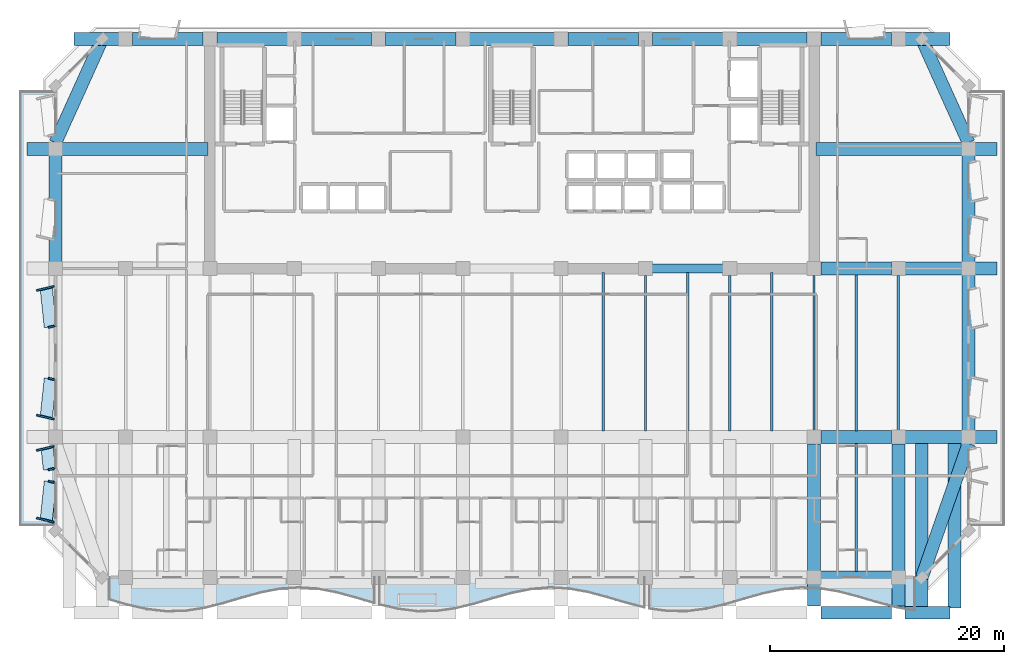
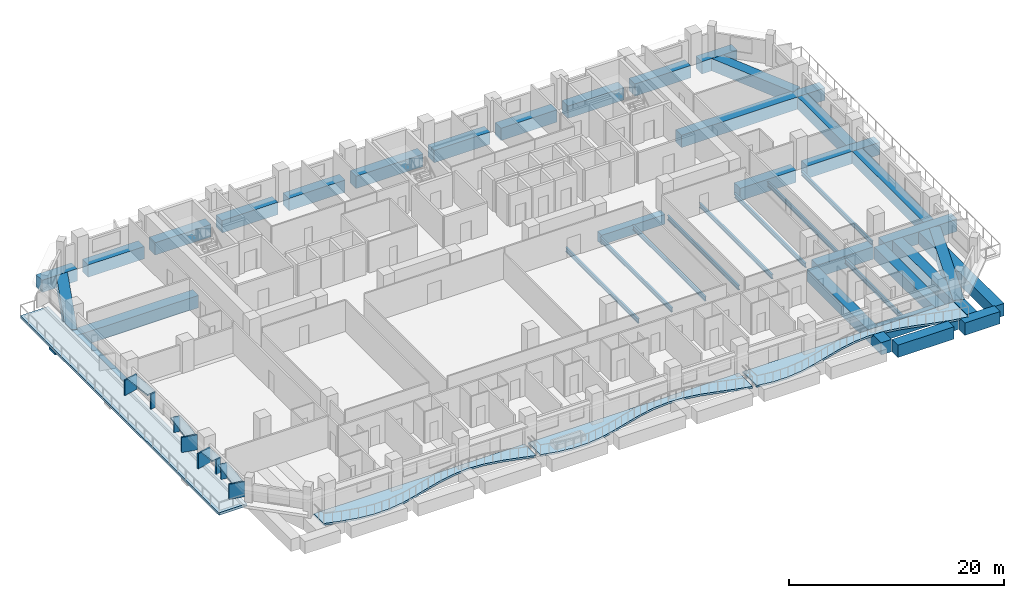
# One storey, part 2 of 16: 40 beams, 12 plates, 4 slabs.
"""IFC4 building model written with IfcOpenShell, lengths in metres."""

from ifc_helpers import new_model, si_unit, direction, frame, origin, origin_2d, place, context, subcontext, project, spatial, polyline, rectangle, i_section, outline, extrude, material, layer, layer_set, material_profile, profile_set, type_object, element, save


model = new_model("IFC4")

# Units and contexts
model_context = context("Model", 3, precision=1e-05, world=origin(), true_north=direction((0.0, 1.0)))
body_context = subcontext(model_context, "Body", "Model", "MODEL_VIEW")
ifc_project = project(units=[si_unit("LENGTHUNIT", "METRE"), si_unit("AREAUNIT", "SQUARE_METRE"), si_unit("VOLUMEUNIT", "CUBIC_METRE"), si_unit("PLANEANGLEUNIT", "RADIAN"), si_unit("MASSUNIT", "GRAM", prefix="KILO")], contexts=[model_context])

# Site, building, storey
site_placement = place(None, origin())
site = spatial("IfcSite", under=ifc_project, at=site_placement, CompositionType="ELEMENT")
building_placement = place(site_placement, origin())
building = spatial("IfcBuilding", under=site, at=building_placement, Name="Kaelvorn Grand Hotel", CompositionType="ELEMENT")
storey_placement = place(building_placement, frame((0.0, 0.0, 135.35009765625)))
storey = spatial("IfcBuildingStorey", under=building, at=storey_placement, Name="L32", CompositionType="ELEMENT", Elevation=135.35009765625)

# Beams
ifc_material_1 = material(Name="Steel S355", Category="steel")
ifc_material_profile_1 = material_profile(ifc_material_1, i_section(OverallWidth=0.199951171875, OverallDepth=0.5, WebThickness=0.01025390625, FlangeThickness=0.01611328125, FilletRadius=0.02099609375, at=origin_2d()), Name="IPE 500")
ifc_profile_set_1 = profile_set([ifc_material_profile_1], Name="Steel S355")
beam_type_1 = type_object("IfcBeamType", Name="BM-J-IPE500-S355", PredefinedType="JOIST", material=ifc_profile_set_1)
beam_1_placement = place(storey_placement, frame((49.800048828125, 15.534912109375, -0.489990234375), z_axis=(0.0, 1.0, 0.0), x_axis=(-1.0, 0.0, 0.0)))
element("IfcBeam", 1, at=beam_1_placement, inside=storey, type_object=beam_type_1, Name="L32 Composite Floor Joist JM-14", PredefinedType="JOIST", context=body_context, shape_type="SweptSolid", body=[
    extrude(i_section(OverallWidth=0.199951171875, OverallDepth=0.5, WebThickness=0.01025390625, FlangeThickness=0.01611328125, FilletRadius=0.02099609375, at=origin_2d()), origin(), (0.0, 0.0, 1.0), 13.525146484375),
])
beam_2_placement = place(storey_placement, frame((53.39990234375, 15.534912109375, -0.489990234375), z_axis=(0.0, 1.0, 0.0), x_axis=(-1.0, 0.0, 0.0)))
element("IfcBeam", 2, at=beam_2_placement, inside=storey, type_object=beam_type_1, Name="L32 Composite Floor Joist JM-15", PredefinedType="JOIST", context=body_context, shape_type="SweptSolid", body=[
    extrude(i_section(OverallWidth=0.199951171875, OverallDepth=0.5, WebThickness=0.01025390625, FlangeThickness=0.01611328125, FilletRadius=0.02099609375, at=origin_2d()), origin(), (0.0, 0.0, 1.0), 13.280029296875),
])
beam_3_placement = place(storey_placement, frame((57.0, 15.534912109375, -0.489990234375), z_axis=(0.0, 1.0, 0.0), x_axis=(-1.0, 0.0, 0.0)))
element("IfcBeam", 3, at=beam_3_placement, inside=storey, type_object=beam_type_1, Name="L32 Composite Floor Joist JM-16", PredefinedType="JOIST", context=body_context, shape_type="SweptSolid", body=[
    extrude(i_section(OverallWidth=0.199951171875, OverallDepth=0.5, WebThickness=0.01025390625, FlangeThickness=0.01611328125, FilletRadius=0.02099609375, at=origin_2d()), origin(), (0.0, 0.0, 1.0), 13.525146484375),
])
beam_4_placement = place(storey_placement, frame((60.60009765625, 15.534912109375, -0.489990234375), z_axis=(0.0, 1.0, 0.0), x_axis=(-1.0, 0.0, 0.0)))
element("IfcBeam", 4, at=beam_4_placement, inside=storey, type_object=beam_type_1, Name="L32 Composite Floor Joist JM-17", PredefinedType="JOIST", context=body_context, shape_type="SweptSolid", body=[
    extrude(i_section(OverallWidth=0.199951171875, OverallDepth=0.5, WebThickness=0.01025390625, FlangeThickness=0.01611328125, FilletRadius=0.02099609375, at=origin_2d()), origin(), (0.0, 0.0, 1.0), 13.280029296875),
])
beam_5_placement = place(storey_placement, frame((64.199951171875, 15.534912109375, -0.489990234375), z_axis=(0.0, 1.0, 0.0), x_axis=(-1.0, 0.0, 0.0)))
element("IfcBeam", 5, at=beam_5_placement, inside=storey, type_object=beam_type_1, Name="L32 Composite Floor Joist JM-18", PredefinedType="JOIST", context=body_context, shape_type="SweptSolid", body=[
    extrude(i_section(OverallWidth=0.199951171875, OverallDepth=0.5, WebThickness=0.01025390625, FlangeThickness=0.01611328125, FilletRadius=0.02099609375, at=origin_2d()), origin(), (0.0, 0.0, 1.0), 13.525146484375),
])
beam_6_placement = place(storey_placement, frame((67.800048828125, 15.5849609375, -0.489990234375), z_axis=(0.0, 1.0, 0.0), x_axis=(-1.0, 0.0, 0.0)))
element("IfcBeam", 6, at=beam_6_placement, inside=storey, type_object=beam_type_1, Name="L32 Composite Floor Joist JM-19", PredefinedType="JOIST", context=body_context, shape_type="SweptSolid", body=[
    extrude(i_section(OverallWidth=0.199951171875, OverallDepth=0.5, WebThickness=0.01025390625, FlangeThickness=0.01611328125, FilletRadius=0.02099609375, at=origin_2d()), origin(), (0.0, 0.0, 1.0), 13.22998046875),
])
beam_7_placement = place(storey_placement, frame((71.39990234375, 15.534912109375, -0.489990234375), z_axis=(0.0, 1.0, 0.0), x_axis=(-1.0, 0.0, 0.0)))
element("IfcBeam", 7, at=beam_7_placement, inside=storey, type_object=beam_type_1, Name="L32 Composite Floor Joist JM-20", PredefinedType="JOIST", context=body_context, shape_type="SweptSolid", body=[
    extrude(i_section(OverallWidth=0.199951171875, OverallDepth=0.5, WebThickness=0.01025390625, FlangeThickness=0.01611328125, FilletRadius=0.02099609375, at=origin_2d()), origin(), (0.0, 0.0, 1.0), 13.330078125),
])
beam_8_placement = place(storey_placement, frame((75.0, 15.5849609375, -0.489990234375), z_axis=(0.0, 1.0, 0.0), x_axis=(-1.0, 0.0, 0.0)))
element("IfcBeam", 8, at=beam_8_placement, inside=storey, type_object=beam_type_1, Name="L32 Composite Floor Joist JM-21", PredefinedType="JOIST", context=body_context, shape_type="SweptSolid", body=[
    extrude(i_section(OverallWidth=0.199951171875, OverallDepth=0.5, WebThickness=0.01025390625, FlangeThickness=0.01611328125, FilletRadius=0.02099609375, at=origin_2d()), origin(), (0.0, 0.0, 1.0), 13.22998046875),
])
ifc_material_profile_2 = material_profile(ifc_material_1, i_section(OverallWidth=0.2099609375, OverallDepth=0.550048828125, WebThickness=0.010986328125, FlangeThickness=0.01708984375, FilletRadius=0.02392578125, at=origin_2d()), Name="IPE 550")
ifc_profile_set_2 = profile_set([ifc_material_profile_2], Name="Steel S355")
beam_type_2 = type_object("IfcBeamType", Name="BM-J-IPE550-S355", PredefinedType="JOIST", material=ifc_profile_set_2)
beam_9_placement = place(storey_placement, frame((71.39990234375, 3.534912109375, -0.51513671875), z_axis=(0.0, 1.0, 0.0), x_axis=(-1.0, 0.0, 0.0)))
element("IfcBeam", 9, at=beam_9_placement, inside=storey, type_object=beam_type_2, Name="L32 Composite Floor Joist JS-20", PredefinedType="JOIST", context=body_context, shape_type="SweptSolid", body=[
    extrude(i_section(OverallWidth=0.2099609375, OverallDepth=0.550048828125, WebThickness=0.010986328125, FlangeThickness=0.01708984375, FilletRadius=0.02392578125, at=origin_2d()), origin(), (0.0, 0.0, 1.0), 10.93017578125),
])
ifc_material_2 = material(Name="Concrete C60/75", Category="concrete")
ifc_material_profile_3 = material_profile(ifc_material_2, rectangle(XDim=0.800048828125, YDim=1.10009765625, at=origin_2d()), Name="RC LINTEL 800x1100")
ifc_profile_set_3 = profile_set([ifc_material_profile_3], Name="Concrete C60/75")
beam_type_3 = type_object("IfcBeamType", Name="BM-LIN-800x1100-C60", PredefinedType="LINTEL", material=ifc_profile_set_3)
beam_10_placement = place(storey_placement, frame((53.580078125, 29.39990234375, -0.7900390625), z_axis=(1.0, 0.0, 0.0), x_axis=(0.0, 1.0, 0.0)))
element("IfcBeam", 10, at=beam_10_placement, inside=storey, type_object=beam_type_3, Name="L32 Rear-Core Coupling Lintel Beam CB1-03", PredefinedType="LINTEL", context=body_context, shape_type="SweptSolid", body=[
    extrude(rectangle(XDim=0.800048828125, YDim=1.10009765625, at=origin_2d()), origin(), (0.0, 0.0, 1.0), 6.83984375),
])
ifc_material_profile_4 = material_profile(ifc_material_2, rectangle(XDim=1.10009765625, YDim=1.39990234375, at=origin_2d()), Name="RC TG 1100x1400")
ifc_profile_set_4 = profile_set([ifc_material_profile_4], Name="Concrete C60/75")
beam_type_4 = type_object("IfcBeamType", Name="BM-TG-1100x1400-C60", PredefinedType="USERDEFINED", material=ifc_profile_set_4)
beam_11_placement = place(storey_placement, frame((68.385009765625, 15.0, -0.7001953125), z_axis=(1.0, 0.0, 0.0), x_axis=(0.0, 1.0, 0.0)))
element("IfcBeam", 11, at=beam_11_placement, inside=storey, type_object=beam_type_4, Name="L32 Setback Spine Transfer Girder TG2-M15 06", ObjectType="TRANSFER GIRDER", PredefinedType="USERDEFINED", context=body_context, shape_type="SweptSolid", body=[
    extrude(rectangle(XDim=1.10009765625, YDim=1.39990234375, at=origin_2d()), origin(), (0.0, 0.0, 1.0), 6.030029296875),
])
beam_12_placement = place(storey_placement, frame((75.5849609375, 15.0, -0.7001953125), z_axis=(1.0, 0.0, 0.0), x_axis=(0.0, 1.0, 0.0)))
element("IfcBeam", 12, at=beam_12_placement, inside=storey, type_object=beam_type_4, Name="L32 Setback Spine Transfer Girder TG2-M15 07", ObjectType="TRANSFER GIRDER", PredefinedType="USERDEFINED", context=body_context, shape_type="SweptSolid", body=[
    extrude(rectangle(XDim=1.10009765625, YDim=1.39990234375, at=origin_2d()), origin(), (0.0, 0.0, 1.0), 7.830078125),
])
for number, where, z_axis, x_axis, name in (
    (13, (67.800048828125, 0.5849609375, -0.7001953125), (0.0, 1.0, 0.0), (-1.0, 0.0, 0.0), "L32 Setback Radial Transfer Girder TG2-S10 01"),
    (14, (75.0, 0.5849609375, -0.7001953125), (0.0, 1.0, 0.0), (-1.0, 0.0, 0.0), "L32 Setback Radial Transfer Girder TG2-S11 01"),
):
    element("IfcBeam", number, at=place(storey_placement, frame(where, z_axis=z_axis, x_axis=x_axis)), inside=storey, type_object=beam_type_4, Name=name, ObjectType="TRANSFER GIRDER", PredefinedType="USERDEFINED", context=body_context, shape_type="SweptSolid", body=[
        extrude(rectangle(XDim=1.10009765625, YDim=1.39990234375, at=origin_2d()), origin(), (0.0, 0.0, 1.0), 13.830078125),
    ])
beam_13_placement = place(storey_placement, frame((79.800048828125, 0.405029296875, -0.7001953125), z_axis=(0.0, 1.0, 0.0), x_axis=(-1.0, 0.0, 0.0)))
element("IfcBeam", 15, at=beam_13_placement, inside=storey, type_object=beam_type_4, Name="L32 Setback Radial Transfer Girder TG2-S12 01", ObjectType="TRANSFER GIRDER", PredefinedType="USERDEFINED", context=body_context, shape_type="SweptSolid", body=[
    extrude(rectangle(XDim=1.10009765625, YDim=1.39990234375, at=origin_2d()), origin(), (0.0, 0.0, 1.0), 14.409912109375),
])
beam_14_placement = place(storey_placement, frame((68.385009765625, 29.39990234375, -0.7001953125), z_axis=(1.0, 0.0, 0.0), x_axis=(0.0, 1.0, 0.0)))
element("IfcBeam", 16, at=beam_14_placement, inside=storey, type_object=beam_type_4, Name="L32 Setback Radial Transfer Girder TG2-E01 01", ObjectType="TRANSFER GIRDER", PredefinedType="USERDEFINED", context=body_context, shape_type="SweptSolid", body=[
    extrude(rectangle(XDim=1.10009765625, YDim=1.39990234375, at=origin_2d()), origin(), (0.0, 0.0, 1.0), 6.030029296875),
])
beam_15_placement = place(storey_placement, frame((75.5849609375, 29.39990234375, -0.7001953125), z_axis=(1.0, 0.0, 0.0), x_axis=(0.0, 1.0, 0.0)))
element("IfcBeam", 17, at=beam_15_placement, inside=storey, type_object=beam_type_4, Name="L32 Setback Radial Transfer Girder TG2-E01 02", ObjectType="TRANSFER GIRDER", PredefinedType="USERDEFINED", context=body_context, shape_type="SweptSolid", body=[
    extrude(rectangle(XDim=1.10009765625, YDim=1.39990234375, at=origin_2d()), origin(), (0.0, 0.0, 1.0), 7.830078125),
])
for number, where, z_axis, x_axis, name in (
    (18, (0.5849609375, 39.60009765625, -0.7001953125), (1.0, 0.0, 0.0), (0.0, 1.0, 0.0), "L32 Setback Radial Transfer Girder TG2-W02 01"),
    (19, (67.985107421875, 39.60009765625, -0.7001953125), (1.0, 0.0, 0.0), (0.0, 1.0, 0.0), "L32 Setback Radial Transfer Girder TG2-E02 01"),
):
    element("IfcBeam", number, at=place(storey_placement, frame(where, z_axis=z_axis, x_axis=x_axis)), inside=storey, type_object=beam_type_4, Name=name, ObjectType="TRANSFER GIRDER", PredefinedType="USERDEFINED", context=body_context, shape_type="SweptSolid", body=[
        extrude(rectangle(XDim=1.10009765625, YDim=1.39990234375, at=origin_2d()), origin(), (0.0, 0.0, 1.0), 15.429931640625),
    ])
beam_16_placement = place(storey_placement, frame((4.60498046875, 49.0, -0.7001953125), z_axis=(1.0, 0.0, 0.0), x_axis=(0.0, 1.0, 0.0)))
element("IfcBeam", 20, at=beam_16_placement, inside=storey, type_object=beam_type_4, Name="L32 Setback North Transfer Girder 01", ObjectType="TRANSFER GIRDER", PredefinedType="USERDEFINED", context=body_context, shape_type="SweptSolid", body=[
    extrude(rectangle(XDim=1.10009765625, YDim=1.39990234375, at=origin_2d()), origin(), (0.0, 0.0, 1.0), 3.81005859375),
])
for number, where, z_axis, x_axis, name in (
    (21, (9.5849609375, 49.0, -0.7001953125), (1.0, 0.0, 0.0), (0.0, 1.0, 0.0), "L32 Setback North Transfer Girder 02"),
    (22, (16.784912109375, 49.0, -0.7001953125), (1.0, 0.0, 0.0), (0.0, 1.0, 0.0), "L32 Setback North Transfer Girder 03"),
):
    element("IfcBeam", number, at=place(storey_placement, frame(where, z_axis=z_axis, x_axis=x_axis)), inside=storey, type_object=beam_type_4, Name=name, ObjectType="TRANSFER GIRDER", PredefinedType="USERDEFINED", context=body_context, shape_type="SweptSolid", body=[
        extrude(rectangle(XDim=1.10009765625, YDim=1.39990234375, at=origin_2d()), origin(), (0.0, 0.0, 1.0), 6.030029296875),
    ])
beam_17_placement = place(storey_placement, frame((23.985107421875, 49.0, -0.7001953125), z_axis=(1.0, 0.0, 0.0), x_axis=(0.0, 1.0, 0.0)))
element("IfcBeam", 23, at=beam_17_placement, inside=storey, type_object=beam_type_4, Name="L32 Setback North Transfer Girder 04", ObjectType="TRANSFER GIRDER", PredefinedType="USERDEFINED", context=body_context, shape_type="SweptSolid", body=[
    extrude(rectangle(XDim=1.10009765625, YDim=1.39990234375, at=origin_2d()), origin(), (0.0, 0.0, 1.0), 6.02978515625),
])
beam_18_placement = place(storey_placement, frame((31.18505859375, 49.0, -0.7001953125), z_axis=(1.0, 0.0, 0.0), x_axis=(0.0, 1.0, 0.0)))
element("IfcBeam", 24, at=beam_18_placement, inside=storey, type_object=beam_type_4, Name="L32 Setback North Transfer Girder 05", ObjectType="TRANSFER GIRDER", PredefinedType="USERDEFINED", context=body_context, shape_type="SweptSolid", body=[
    extrude(rectangle(XDim=1.10009765625, YDim=1.39990234375, at=origin_2d()), origin(), (0.0, 0.0, 1.0), 6.030029296875),
])
beam_19_placement = place(storey_placement, frame((38.385009765625, 49.0, -0.7001953125), z_axis=(1.0, 0.0, 0.0), x_axis=(0.0, 1.0, 0.0)))
element("IfcBeam", 25, at=beam_19_placement, inside=storey, type_object=beam_type_4, Name="L32 Setback North Transfer Girder 06", ObjectType="TRANSFER GIRDER", PredefinedType="USERDEFINED", context=body_context, shape_type="SweptSolid", body=[
    extrude(rectangle(XDim=1.10009765625, YDim=1.39990234375, at=origin_2d()), origin(), (0.0, 0.0, 1.0), 7.22998046875),
])
beam_20_placement = place(storey_placement, frame((46.784912109375, 49.0, -0.7001953125), z_axis=(1.0, 0.0, 0.0), x_axis=(0.0, 1.0, 0.0)))
element("IfcBeam", 26, at=beam_20_placement, inside=storey, type_object=beam_type_4, Name="L32 Setback North Transfer Girder 07", ObjectType="TRANSFER GIRDER", PredefinedType="USERDEFINED", context=body_context, shape_type="SweptSolid", body=[
    extrude(rectangle(XDim=1.10009765625, YDim=1.39990234375, at=origin_2d()), origin(), (0.0, 0.0, 1.0), 6.030029296875),
])
beam_21_placement = place(storey_placement, frame((53.985107421875, 49.0, -0.7001953125), z_axis=(1.0, 0.0, 0.0), x_axis=(0.0, 1.0, 0.0)))
element("IfcBeam", 27, at=beam_21_placement, inside=storey, type_object=beam_type_4, Name="L32 Setback North Transfer Girder 08", ObjectType="TRANSFER GIRDER", PredefinedType="USERDEFINED", context=body_context, shape_type="SweptSolid", body=[
    extrude(rectangle(XDim=1.10009765625, YDim=1.39990234375, at=origin_2d()), origin(), (0.0, 0.0, 1.0), 6.02978515625),
])
for number, where, z_axis, x_axis, name in (
    (28, (61.18505859375, 49.0, -0.7001953125), (1.0, 0.0, 0.0), (0.0, 1.0, 0.0), "L32 Setback North Transfer Girder 09"),
    (29, (68.385009765625, 49.0, -0.7001953125), (1.0, 0.0, 0.0), (0.0, 1.0, 0.0), "L32 Setback North Transfer Girder 10"),
):
    element("IfcBeam", number, at=place(storey_placement, frame(where, z_axis=z_axis, x_axis=x_axis)), inside=storey, type_object=beam_type_4, Name=name, ObjectType="TRANSFER GIRDER", PredefinedType="USERDEFINED", context=body_context, shape_type="SweptSolid", body=[
        extrude(rectangle(XDim=1.10009765625, YDim=1.39990234375, at=origin_2d()), origin(), (0.0, 0.0, 1.0), 6.030029296875),
    ])
beam_22_placement = place(storey_placement, frame((75.5849609375, 49.0, -0.7001953125), z_axis=(1.0, 0.0, 0.0), x_axis=(0.0, 1.0, 0.0)))
element("IfcBeam", 30, at=beam_22_placement, inside=storey, type_object=beam_type_4, Name="L32 Setback North Transfer Girder 11", ObjectType="TRANSFER GIRDER", PredefinedType="USERDEFINED", context=body_context, shape_type="SweptSolid", body=[
    extrude(rectangle(XDim=1.10009765625, YDim=1.39990234375, at=origin_2d()), origin(), (0.0, 0.0, 1.0), 3.81005859375),
])
beam_23_placement = place(storey_placement, frame((68.385009765625, 0.0, -0.7001953125), z_axis=(1.0, 0.0, 0.0), x_axis=(0.0, 1.0, 0.0)))
element("IfcBeam", 31, at=beam_23_placement, inside=storey, type_object=beam_type_4, Name="L32 Setback Outer South Transfer Girder 10", ObjectType="TRANSFER GIRDER", PredefinedType="USERDEFINED", context=body_context, shape_type="SweptSolid", body=[
    extrude(rectangle(XDim=1.10009765625, YDim=1.39990234375, at=origin_2d()), origin(), (0.0, 0.0, 1.0), 6.030029296875),
])
beam_24_placement = place(storey_placement, frame((75.5849609375, 0.0, -0.7001953125), z_axis=(1.0, 0.0, 0.0), x_axis=(0.0, 1.0, 0.0)))
element("IfcBeam", 32, at=beam_24_placement, inside=storey, type_object=beam_type_4, Name="L32 Setback Outer South Transfer Girder 11", ObjectType="TRANSFER GIRDER", PredefinedType="USERDEFINED", context=body_context, shape_type="SweptSolid", body=[
    extrude(rectangle(XDim=1.10009765625, YDim=1.39990234375, at=origin_2d()), origin(), (0.0, 0.0, 1.0), 3.81005859375),
])
beam_25_placement = place(storey_placement, frame((77.0, 0.534912109375, -0.7001953125), z_axis=(0.0, 1.0, 0.0), x_axis=(-1.0, 0.0, 0.0)))
element("IfcBeam", 33, at=beam_25_placement, inside=storey, type_object=beam_type_4, Name="L32 Setback Corner Radial Transfer Girder CHE", ObjectType="TRANSFER GIRDER", PredefinedType="USERDEFINED", context=body_context, shape_type="SweptSolid", body=[
    extrude(rectangle(XDim=1.10009765625, YDim=1.39990234375, at=origin_2d()), origin(), (0.0, 0.0, 1.0), 13.93017578125),
])
beam_26_placement = place(storey_placement, frame((68.324951171875, 3.0, -0.7001953125), z_axis=(1.0, 0.0, 0.0), x_axis=(0.0, 1.0, 0.0)))
element("IfcBeam", 34, at=beam_26_placement, inside=storey, type_object=beam_type_4, Name="L32 Setback South Ring Transfer Girder 10", ObjectType="TRANSFER GIRDER", PredefinedType="USERDEFINED", context=body_context, shape_type="SweptSolid", body=[
    extrude(rectangle(XDim=1.10009765625, YDim=1.39990234375, at=origin_2d()), origin(), (0.0, 0.0, 1.0), 6.150146484375),
])
beam_27_placement = place(storey_placement, frame((3.0, 29.925048828125, -0.7001953125), z_axis=(0.0, 1.0, 0.0), x_axis=(-1.0, 0.0, 0.0)))
element("IfcBeam", 35, at=beam_27_placement, inside=storey, type_object=beam_type_4, Name="L32 Setback W Ring Transfer Girder 02", ObjectType="TRANSFER GIRDER", PredefinedType="USERDEFINED", context=body_context, shape_type="SweptSolid", body=[
    extrude(rectangle(XDim=1.10009765625, YDim=1.39990234375, at=origin_2d()), origin(), (0.0, 0.0, 1.0), 9.14990234375),
])
beam_28_placement = place(storey_placement, frame((81.0, 15.52490234375, -0.7001953125), z_axis=(0.0, 1.0, 0.0), x_axis=(-1.0, 0.0, 0.0)))
element("IfcBeam", 36, at=beam_28_placement, inside=storey, type_object=beam_type_4, Name="L32 Setback E Ring Transfer Girder 01", ObjectType="TRANSFER GIRDER", PredefinedType="USERDEFINED", context=body_context, shape_type="SweptSolid", body=[
    extrude(rectangle(XDim=1.10009765625, YDim=1.39990234375, at=origin_2d()), origin(), (0.0, 0.0, 1.0), 13.35009765625),
])
beam_29_placement = place(storey_placement, frame((81.0, 29.925048828125, -0.7001953125), z_axis=(0.0, 1.0, 0.0), x_axis=(-1.0, 0.0, 0.0)))
element("IfcBeam", 37, at=beam_29_placement, inside=storey, type_object=beam_type_4, Name="L32 Setback E Ring Transfer Girder 02", ObjectType="TRANSFER GIRDER", PredefinedType="USERDEFINED", context=body_context, shape_type="SweptSolid", body=[
    extrude(rectangle(XDim=1.10009765625, YDim=1.39990234375, at=origin_2d()), origin(), (0.0, 0.0, 1.0), 9.14990234375),
])
beam_30_placement = place(storey_placement, frame((77.0, 3.0, -0.7001953125), z_axis=(0.329800731913, 0.944050569212, 0.0), x_axis=(-0.944050569212, 0.329800731913, 0.0)))
element("IfcBeam", 38, at=beam_30_placement, inside=storey, type_object=beam_type_4, Name="L32 Setback Chamfer Transfer Girder 2", ObjectType="TRANSFER GIRDER", PredefinedType="USERDEFINED", context=body_context, shape_type="SweptSolid", body=[
    extrude(rectangle(XDim=1.10009765625, YDim=1.39990234375, at=origin_2d()), origin(), (0.0, 0.0, 1.0), 12.12841796875),
])
for number, where, z_axis, x_axis, name in (
    (39, (81.0, 40.14990234375, -0.7001953125), (-0.411858810083, 0.911247672456, 0.0), (-0.911247672456, -0.411858810083, 0.0), "L32 Setback Chamfer Transfer Girder 3"),
    (40, (7.0, 49.0, -0.7001953125), (-0.411858810083, -0.911247672456, 0.0), (0.911247672456, -0.411858810083, 0.0), "L32 Setback Chamfer Transfer Girder 4"),
):
    element("IfcBeam", number, at=place(storey_placement, frame(where, z_axis=z_axis, x_axis=x_axis)), inside=storey, type_object=beam_type_4, Name=name, ObjectType="TRANSFER GIRDER", PredefinedType="USERDEFINED", context=body_context, shape_type="SweptSolid", body=[
        extrude(rectangle(XDim=1.10009765625, YDim=1.39990234375, at=origin_2d()), origin(), (0.0, 0.0, 1.0), 9.712158203125),
    ])

# Plates
ifc_material_3 = material(Name="Precast concrete C45/55", Category="concrete")
ifc_layer_1 = layer(ifc_material_3, 0.159912109375)
ifc_layer_set_1 = layer_set([ifc_layer_1], Name="Precast concrete C45/55")
plate_type_1 = type_object("IfcPlateType", Name="PL-FRAME-DEEP-1550", PredefinedType="USERDEFINED", material=ifc_layer_set_1)
for number, where, z_axis, x_axis, name in (
    (41, (2.14501953125, 7.909912109375, 0.73974609375), (0.0, 0.0, 1.0), (0.233445363856, 0.972369920398, 0.0), "L32 Tilted Precast Window Frame Fin L-W01"),
    (42, (2.14501953125, 14.0400390625, 0.68994140625), (0.0, 0.0, 1.0), (-0.233445363856, 0.972369920398, 0.0), "L32 Tilted Precast Window Frame Fin R-W02"),
    (43, (2.14501953125, 16.699951171875, 0.73974609375), (0.0, 0.0, 1.0), (0.233445363856, 0.972369920398, 0.0), "L32 Tilted Precast Window Frame Fin L-W03"),
    (44, (2.14501953125, 27.699951171875, 0.73974609375), (0.0, 0.0, 1.0), (-0.233445363856, 0.972369920398, 0.0), "L32 Tilted Precast Window Frame Fin R-W04"),
):
    element("IfcPlate", number, at=place(storey_placement, frame(where, z_axis=z_axis, x_axis=x_axis)), inside=storey, type_object=plate_type_1, Name=name, ObjectType="FLANGE_PLATE", PredefinedType="USERDEFINED", context=body_context, shape_type="SweptSolid", body=[
        extrude(rectangle(XDim=0.159912109375, YDim=1.550048828125, at=origin_2d()), origin(), (0.0, 0.0, 1.0), 1.719970703125),
    ])
ifc_layer_2 = layer(ifc_material_3, 0.159912109375)
ifc_layer_set_2 = layer_set([ifc_layer_2], Name="Precast concrete C45/55")
plate_type_2 = type_object("IfcPlateType", Name="PL-FRAME-HEAD-1050", PredefinedType="USERDEFINED", material=ifc_layer_set_2)
plate_1_placement = place(storey_placement, frame((2.39501953125, 9.550048828125, 2.35009765625), z_axis=(0.0, 0.0, 1.0), x_axis=(0.105830199459, 0.994384215926, 0.0)))
element("IfcPlate", 45, at=plate_1_placement, inside=storey, type_object=plate_type_2, Name="L32 Precast Window Frame Head Hood H-W01", ObjectType="FLANGE_PLATE", PredefinedType="USERDEFINED", context=body_context, shape_type="SweptSolid", body=[
    extrude(rectangle(XDim=3.320068359375, YDim=1.050048828125, at=origin_2d()), origin(), (0.0, 0.0, 1.0), 0.159912109375),
])
plate_2_placement = place(storey_placement, frame((2.39501953125, 13.14990234375, 2.25), z_axis=(0.0, 0.0, 1.0), x_axis=(-0.105830199459, 0.994384215926, 0.0)))
element("IfcPlate", 46, at=plate_2_placement, inside=storey, type_object=plate_type_2, Name="L32 Precast Window Frame Head Hood H-W02", ObjectType="FLANGE_PLATE", PredefinedType="USERDEFINED", context=body_context, shape_type="SweptSolid", body=[
    extrude(rectangle(XDim=1.860107421875, YDim=1.050048828125, at=origin_2d()), origin(), (0.0, 0.0, 1.0), 0.159912109375),
])
for number, where, z_axis, x_axis, name in (
    (47, (2.39501953125, 18.340087890625, 2.35009765625), (0.0, 0.0, 1.0), (0.105830199459, 0.994384215926, 0.0), "L32 Precast Window Frame Head Hood H-W03"),
    (48, (2.39501953125, 26.06005859375, 2.35009765625), (0.0, 0.0, 1.0), (-0.105830199459, 0.994384215926, 0.0), "L32 Precast Window Frame Head Hood H-W04"),
):
    element("IfcPlate", number, at=place(storey_placement, frame(where, z_axis=z_axis, x_axis=x_axis)), inside=storey, type_object=plate_type_2, Name=name, ObjectType="FLANGE_PLATE", PredefinedType="USERDEFINED", context=body_context, shape_type="SweptSolid", body=[
        extrude(rectangle(XDim=3.320068359375, YDim=1.050048828125, at=origin_2d()), origin(), (0.0, 0.0, 1.0), 0.159912109375),
    ])
ifc_layer_3 = layer(ifc_material_3, 0.159912109375)
ifc_layer_set_3 = layer_set([ifc_layer_3], Name="Precast concrete C45/55")
plate_type_3 = type_object("IfcPlateType", Name="PL-FRAME-SHAL-550", PredefinedType="USERDEFINED", material=ifc_layer_set_3)
for number, where, z_axis, x_axis, name in (
    (49, (2.64501953125, 11.18994140625, 0.73974609375), (0.0, 0.0, 1.0), (0.233445363856, 0.972369920398, 0.0), "L32 Tilted Precast Window Frame Fin R-W01"),
    (50, (2.64501953125, 12.260009765625, 0.68994140625), (0.0, 0.0, 1.0), (-0.233445363856, 0.972369920398, 0.0), "L32 Tilted Precast Window Frame Fin L-W02"),
    (51, (2.64501953125, 19.97998046875, 0.73974609375), (0.0, 0.0, 1.0), (0.233445363856, 0.972369920398, 0.0), "L32 Tilted Precast Window Frame Fin R-W03"),
    (52, (2.64501953125, 24.419921875, 0.73974609375), (0.0, 0.0, 1.0), (-0.233445363856, 0.972369920398, 0.0), "L32 Tilted Precast Window Frame Fin L-W04"),
):
    element("IfcPlate", number, at=place(storey_placement, frame(where, z_axis=z_axis, x_axis=x_axis)), inside=storey, type_object=plate_type_3, Name=name, ObjectType="FLANGE_PLATE", PredefinedType="USERDEFINED", context=body_context, shape_type="SweptSolid", body=[
        extrude(rectangle(XDim=0.159912109375, YDim=0.550048828125, at=origin_2d()), origin(), (0.0, 0.0, 1.0), 1.719970703125),
    ])

# Slabs
ifc_material_4 = material(Name="Concrete C40/50", Category="concrete")
ifc_layer_4 = layer(ifc_material_4, 0.219970703125)
ifc_layer_set_4 = layer_set([ifc_layer_4], Name="Concrete C40/50")
slab_type_1 = type_object("IfcSlabType", Name="SLB-BALC-220-C40", PredefinedType="FLOOR", material=ifc_layer_set_4)
slab_1_placement = place(storey_placement, frame((0.0, 0.0, -0.22021484375)))
element("IfcSlab", 53, at=slab_1_placement, inside=storey, type_object=slab_type_1, Name="L32 Scalloped Wave Balcony Slab 1", PredefinedType="FLOOR", context=body_context, shape_type="SweptSolid", body=[
    extrude(outline(polyline([(7.60009765625, 1.125), (9.218994140625, 0.659912109375), (10.838134765625, 0.296142578125), (12.45703125, 0.11279296875), (14.076171875, 0.14990234375), (15.6953125, 0.399169921875), (17.314208984375, 0.806640625), (18.933349609375, 1.283447265625), (20.552490234375, 1.7255859375), (22.17138671875, 2.037109375), (23.79052734375, 2.14990234375), (25.409423828125, 2.039794921875), (27.028564453125, 1.730224609375), (28.647705078125, 1.2890625), (30.2666015625, 0.81201171875), (30.2666015625, 3.0), (7.60009765625, 3.0), (7.60009765625, 1.125)])), origin(), (0.0, 0.0, 1.0), 0.22021484375),
])
slab_2_placement = place(storey_placement, frame((0.0, 0.0, -0.22021484375)))
element("IfcSlab", 54, at=slab_2_placement, inside=storey, type_object=slab_type_1, Name="L32 Scalloped Wave Balcony Slab 2", PredefinedType="FLOOR", context=body_context, shape_type="SweptSolid", body=[
    extrude(outline(polyline([(30.666748046875, 0.700927734375), (32.28564453125, 0.32373046875), (33.90478515625, 0.120849609375), (35.52392578125, 0.13671875), (37.142822265625, 0.367919921875), (38.761962890625, 0.763671875), (40.380859375, 1.23828125), (42.0, 1.688232421875), (43.619140625, 2.015380859375), (45.238037109375, 2.14892578125), (46.857177734375, 2.059326171875), (48.47607421875, 1.766357421875), (50.09521484375, 1.333740234375), (51.71435546875, 0.855712890625), (53.333251953125, 0.436279296875), (53.333251953125, 3.0), (30.666748046875, 3.0), (30.666748046875, 0.700927734375)])), origin(), (0.0, 0.0, 1.0), 0.22021484375),
])
slab_3_placement = place(storey_placement, frame((0.0, 0.0, -0.22021484375)))
element("IfcSlab", 55, at=slab_3_placement, inside=storey, type_object=slab_type_1, Name="L32 Scalloped Wave Balcony Slab 3", PredefinedType="FLOOR", context=body_context, shape_type="SweptSolid", body=[
    extrude(outline(polyline([(53.7333984375, 0.352783203125), (55.352294921875, 0.131103515625), (56.971435546875, 0.125732421875), (58.590576171875, 0.337890625), (60.20947265625, 0.7216796875), (61.82861328125, 1.193115234375), (63.447509765625, 1.649658203125), (65.066650390625, 1.9921875), (66.685791015625, 2.145751953125), (68.3046875, 2.0771484375), (69.923828125, 1.801025390625), (71.54296875, 1.3779296875), (73.161865234375, 0.899658203125), (74.781005859375, 0.470458984375), (76.39990234375, 0.183837890625), (76.39990234375, 3.0), (53.7333984375, 3.0), (53.7333984375, 0.352783203125)])), origin(), (0.0, 0.0, 1.0), 0.22021484375),
])
ifc_layer_5 = layer(ifc_material_4, 0.280029296875)
ifc_layer_set_5 = layer_set([ifc_layer_5], Name="Concrete C40/50")
slab_type_2 = type_object("IfcSlabType", Name="SLB-TERR-280-C40", PredefinedType="ROOF", material=ifc_layer_set_5)
slab_4_placement = place(storey_placement, frame((0.0, 0.0, -0.280029296875)))
element("IfcSlab", 56, at=slab_4_placement, inside=storey, type_object=slab_type_2, Name="L32 Setback Sky Terrace Roof Slab W", PredefinedType="ROOF", context=body_context, shape_type="SweptSolid", body=[
    extrude(outline(polyline([(0.0, 7.5), (3.0, 7.5), (3.0, 44.5), (0.0, 44.5), (0.0, 7.5)])), origin(), (0.0, 0.0, 1.0), 0.280029296875),
])

save(model, "model.ifc")
